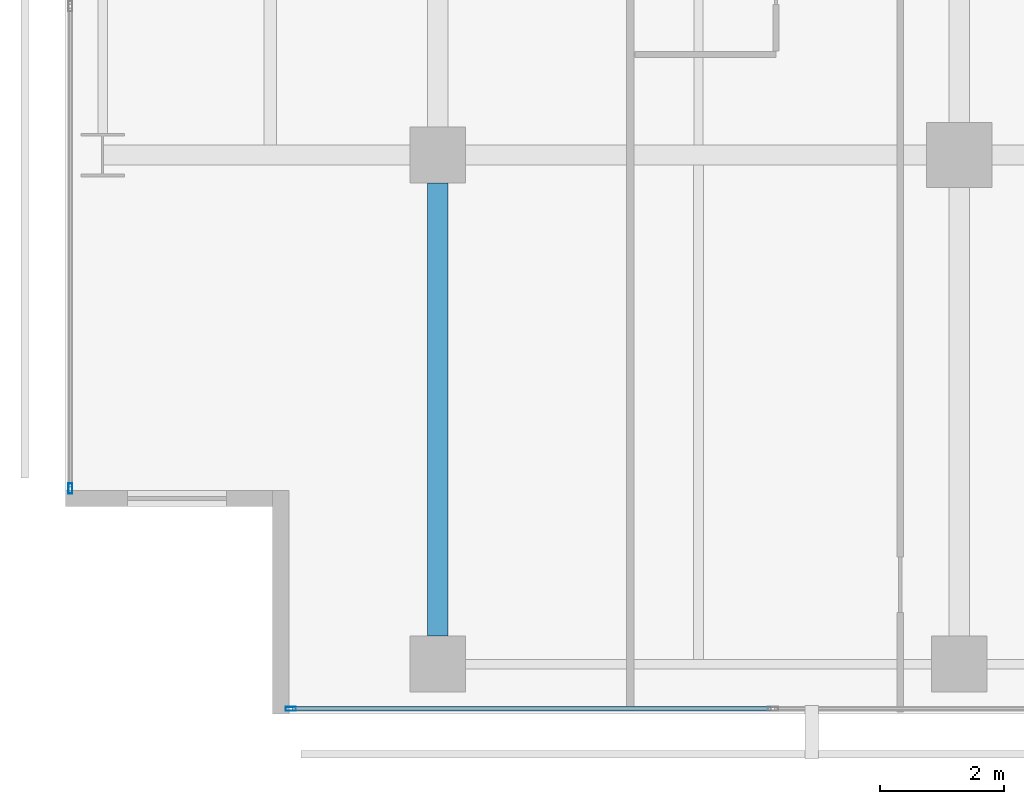
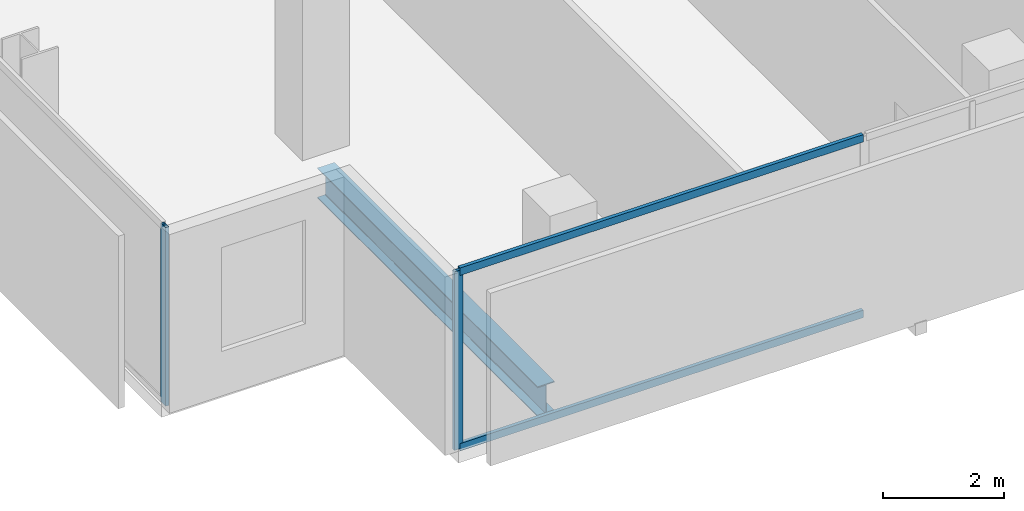
# One storey, part 2 of 41: 4 members, 1 beam, 2 elements without a shape of their own.
"""IFC4 building model written with IfcOpenShell, lengths in metres."""

from ifc_helpers import new_model, si_unit, direction, frame, origin, origin_2d, place, context, subcontext, project, spatial, hollow_rectangle, i_section, extrude, material, layer, layer_set, material_profile, profile_set, type_object, element, aggregate, save


model = new_model("IFC4")

# Units and contexts
model_context = context("Model", 3, precision=1e-05, world=origin(), true_north=direction((0.0, 1.0)))
body_context = subcontext(model_context, "Body", "Model", "MODEL_VIEW")
ifc_project = project(units=[si_unit("LENGTHUNIT", "METRE"), si_unit("AREAUNIT", "SQUARE_METRE"), si_unit("VOLUMEUNIT", "CUBIC_METRE"), si_unit("PLANEANGLEUNIT", "RADIAN"), si_unit("MASSUNIT", "GRAM", prefix="KILO")], contexts=[model_context])

# Site, building, storey
site_placement = place(None, origin())
site = spatial("IfcSite", under=ifc_project, at=site_placement, CompositionType="ELEMENT")
building_placement = place(site_placement, origin())
building = spatial("IfcBuilding", under=site, at=building_placement, Name="Maruvema Waterfront Hotel and Observation Tower", CompositionType="ELEMENT")
storey_placement = place(building_placement, frame((0.0, 0.0, 84.699951171875)))
storey = spatial("IfcBuildingStorey", under=building, at=storey_placement, Name="L20", CompositionType="ELEMENT", Elevation=84.699951171875)

# Curtain wall, members
ifc_material_1 = material(Name="Anodised bronze aluminium and solar-control low-E IGU", Category="aluminium")
ifc_layer = layer(ifc_material_1, 0.159912109375, Name="Zone 1 Bronze Inner Thermal Curtain Wall System CW-02")
ifc_layer_set = layer_set([ifc_layer], Name="Anodised bronze aluminium and solar-control low-E IGU")
curtain_wall_type = type_object("IfcCurtainWallType", Name="Zone 1 Bronze Inner Thermal Curtain Wall System CW-02", PredefinedType="USERDEFINED", material=ifc_layer_set)
curtain_wall_1_placement = place(storey_placement, origin())
curtain_wall_1 = element("IfcCurtainWall", 1, at=curtain_wall_1_placement, inside=storey, type_object=curtain_wall_type, Name="L20 Curtain Wall CW-L20-S", ObjectType="UNITISED CURTAIN WALL", PredefinedType="USERDEFINED")
ifc_material_2 = material(Name="Anodised architectural bronze aluminium", Category="aluminium")
ifc_material_profile_1 = material_profile(ifc_material_2, hollow_rectangle(XDim=0.070068359375, YDim=0.14990234375, WallThickness=0.00390625, at=origin_2d()), Name="ALU-T70x150")
ifc_profile_set_1 = profile_set([ifc_material_profile_1], Name="Anodised architectural bronze aluminium")
member_type_1 = type_object("IfcMemberType", Name="Curtain Wall Horizontal Transom ALU-T70x150", PredefinedType="USERDEFINED", material=ifc_profile_set_1)
member_1_placement = place(storey_placement, frame((14.4599609375, 0.080078125, 0.030029296875), z_axis=(1.0, 0.0, 0.0), x_axis=(0.0, 1.0, 0.0)))
member_1 = element("IfcMember", 2, at=member_1_placement, type_object=member_type_1, Name="CW-02 transom 1.1", ObjectType="TRANSOM", PredefinedType="USERDEFINED", context=body_context, shape_type="SweptSolid", body=[
    extrude(hollow_rectangle(XDim=0.070068359375, YDim=0.14990234375, WallThickness=0.00390625, at=origin_2d()), origin(), (0.0, 0.0, 1.0), 7.7099609375),
])
member_2_placement = place(storey_placement, frame((14.4599609375, 0.080078125, 3.580078125), z_axis=(1.0, 0.0, 0.0), x_axis=(0.0, 1.0, 0.0)))
member_2 = element("IfcMember", 3, at=member_2_placement, type_object=member_type_1, Name="CW-02 transom 1.2", ObjectType="TRANSOM", PredefinedType="USERDEFINED", context=body_context, shape_type="SweptSolid", body=[
    extrude(hollow_rectangle(XDim=0.070068359375, YDim=0.14990234375, WallThickness=0.00390625, at=origin_2d()), origin(), (0.0, 0.0, 1.0), 7.7099609375),
])
ifc_material_3 = material(Name="Anodised architectural bronze aluminium", Category="aluminium")
ifc_material_profile_2 = material_profile(ifc_material_3, hollow_rectangle(XDim=0.06494140625, YDim=0.1650390625, WallThickness=0.00390625, at=origin_2d()), Name="ALU-M65x165")
ifc_profile_set_2 = profile_set([ifc_material_profile_2], Name="Anodised architectural bronze aluminium")
member_type_2 = type_object("IfcMemberType", Name="Curtain Wall Primary Mullion ALU-M65x165", PredefinedType="MULLION", material=ifc_profile_set_2)
member_3_placement = place(storey_placement, frame((14.429931640625, 0.080078125, 0.0), z_axis=(0.0, 0.0, 1.0), x_axis=(0.0, 1.0, 0.0)))
member_3 = element("IfcMember", 4, at=member_3_placement, type_object=member_type_2, Name="CW-02 mullion 1", PredefinedType="MULLION", context=body_context, shape_type="SweptSolid", body=[
    extrude(hollow_rectangle(XDim=0.06494140625, YDim=0.1650390625, WallThickness=0.00390625, at=origin_2d()), origin(), (0.0, 0.0, 1.0), 3.610107421875),
])
aggregate(curtain_wall_1, [member_3, member_1, member_2])

# Curtain wall, member
curtain_wall_2_placement = place(storey_placement, origin())
curtain_wall_2 = element("IfcCurtainWall", 5, at=curtain_wall_2_placement, inside=storey, type_object=curtain_wall_type, Name="L20 Curtain Wall CW-L20-W", ObjectType="UNITISED CURTAIN WALL", PredefinedType="USERDEFINED")
member_4_placement = place(storey_placement, frame((10.8798828125, 3.6298828125, 0.0), z_axis=(0.0, 0.0, 1.0), x_axis=(1.0, 0.0, 0.0)))
member_4 = element("IfcMember", 6, at=member_4_placement, type_object=member_type_2, Name="CW-02 mullion 7", PredefinedType="MULLION", context=body_context, shape_type="SweptSolid", body=[
    extrude(hollow_rectangle(XDim=0.06494140625, YDim=0.1650390625, WallThickness=0.00390625, at=origin_2d()), origin(), (0.0, 0.0, 1.0), 3.610107421875),
])
aggregate(curtain_wall_2, [member_4])

# Beam
ifc_material_4 = material(Name="Steel ASTM A572 Grade 50", Category="steel")
ifc_material_profile_3 = material_profile(ifc_material_4, i_section(OverallWidth=0.323974609375, OverallDepth=0.611083984375, WebThickness=0.0126953125, FlangeThickness=0.01904296875, FilletRadius=0.01806640625, at=origin_2d()), Name="W610x155.0")
ifc_profile_set_3 = profile_set([ifc_material_profile_3], Name="Steel ASTM A572 Grade 50")
beam_type = type_object("IfcBeamType", Name="Primary Floor Girder W610x155.0", PredefinedType="BEAM", material=ifc_profile_set_3)
beam_placement = place(storey_placement, frame((16.800048828125, 1.25, -0.54541015625), z_axis=(0.0, 1.0, 0.0), x_axis=(-1.0, 0.0, 0.0)))
element("IfcBeam", 7, at=beam_placement, inside=storey, type_object=beam_type, Name="L20 Floor Girder NS-05", PredefinedType="BEAM", context=body_context, shape_type="SweptSolid", body=[
    extrude(i_section(OverallWidth=0.323974609375, OverallDepth=0.611083984375, WebThickness=0.0126953125, FlangeThickness=0.01904296875, FilletRadius=0.01806640625, at=origin_2d()), origin(), (0.0, 0.0, 1.0), 7.300048828125),
])

save(model, "model.ifc")
